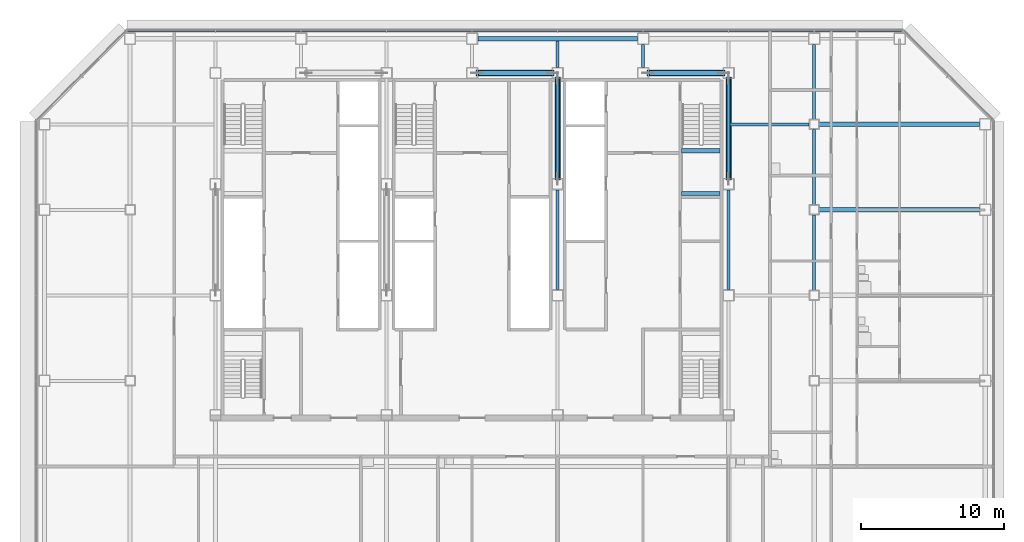
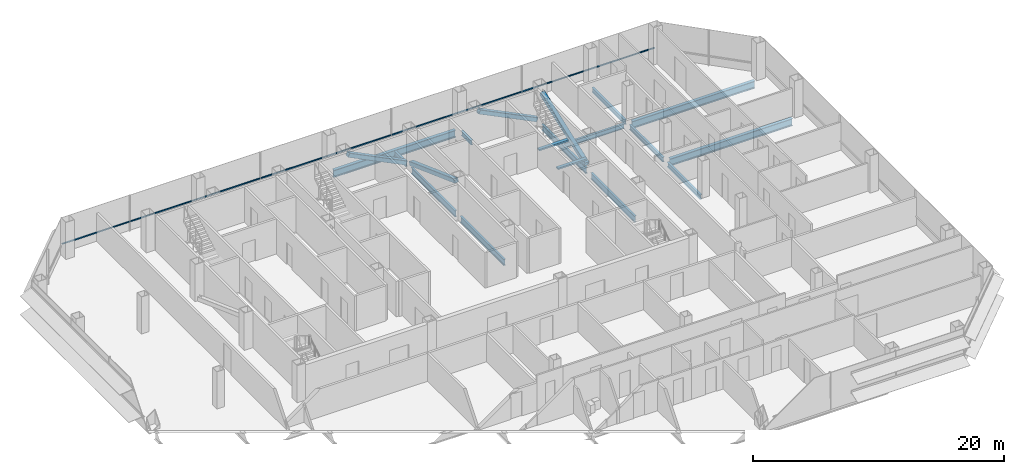
# One storey, part 13 of 25: 15 beams, 5 members, 1 element without a shape of its own.
"""IFC4 building model written with IfcOpenShell, lengths in metres."""

import ifcopenshell
import ifcopenshell.guid

model = None  # the IFC model being written
_history = None  # IfcOwnerHistory: only IFC2X3 demands one
_inside = {}  # id of a spatial element -> (the spatial element, [elements in it])
_under = {}  # id of a project, library or spatial element -> (it, [spatial elements below it])
_declared = {}  # id of a project -> (the project, [libraries it declares])
_typed = {}  # id of a type object -> (the type object, [elements of that type])
_made_of = {}  # id of a material, layer set ... -> (it, [elements and type objects made of it])


def new_model(schema):
    """Start an empty IFC model of exactly this schema.

    Asked for "IFC4X3", IfcOpenShell would pick the latest addendum, in which some entities
    have other attributes; the version numbers below select the first issue.
    IFC2X3 requires an IfcOwnerHistory on every rooted entity: one is made here for all.
    """
    global model, _history
    if schema == "IFC4X3":
        model = ifcopenshell.file(schema_version=(4, 3, 0, 0))
    else:
        model = ifcopenshell.file(schema=schema)
    _inside.clear()
    _under.clear()
    _declared.clear()
    _typed.clear()
    _made_of.clear()
    _history = None
    if model.schema == "IFC2X3":
        org = make("IfcOrganization", Name="unknown")
        user = make(
            "IfcPersonAndOrganization",
            ThePerson=make("IfcPerson", FamilyName="unknown"),
            TheOrganization=org,
        )
        app = make(
            "IfcApplication",
            ApplicationDeveloper=org,
            Version="unknown",
            ApplicationFullName="unknown",
            ApplicationIdentifier="unknown",
        )
        _history = make(
            "IfcOwnerHistory",
            OwningUser=user,
            OwningApplication=app,
            ChangeAction="ADDED",
            CreationDate=0,
        )
    return model


def make(cls, **values):
    """One entity of the class cls with the attributes given. An attribute that is None is left unset."""
    return model.create_entity(
        cls, **{name: value for name, value in values.items() if value is not None}
    )


def rooted(cls, **values):
    """An entity with a GlobalId (a new one), such as an element, a storey or a relation."""
    return make(cls, GlobalId=ifcopenshell.guid.new(), OwnerHistory=_history, **values)


def si_unit(unit_type, name, prefix=None):
    """IfcSIUnit, for example si_unit("LENGTHUNIT", "METRE", prefix="MILLI")."""
    return make("IfcSIUnit", UnitType=unit_type, Prefix=prefix, Name=name)


def assignment(units):
    """IfcUnitAssignment: the units of a project."""
    return None if units is None else make("IfcUnitAssignment", Units=units)


def point(xyz):
    """IfcCartesianPoint."""
    return None if xyz is None else make("IfcCartesianPoint", Coordinates=xyz)


def direction(xyz):
    """IfcDirection."""
    return None if xyz is None else make("IfcDirection", DirectionRatios=xyz)


def frame(location, z_axis=None, x_axis=None):
    """IfcAxis2Placement3D, a coordinate frame: its origin and axes. An axis left out is left unset."""
    return make(
        "IfcAxis2Placement3D",
        Location=point(location),
        Axis=direction(z_axis),
        RefDirection=direction(x_axis),
    )


def frame_2d(location, x_axis=None):
    """IfcAxis2Placement2D, a coordinate frame in the plane: its origin and x axis."""
    return make(
        "IfcAxis2Placement2D", Location=point(location), RefDirection=direction(x_axis)
    )


def origin():
    """The frame at (0, 0, 0) with its axes left unset."""
    return frame((0.0, 0.0, 0.0))


def origin_2d():
    """The frame at (0, 0) in the plane with its x axis left unset."""
    return frame_2d((0.0, 0.0))


def place(relative_to, where):
    """IfcLocalPlacement: puts the frame where relative to a parent placement (None: the world)."""
    return make(
        "IfcLocalPlacement", PlacementRelTo=relative_to, RelativePlacement=where
    )


def context(
    kind, dimensions, precision=None, world=None, true_north=None, identifier=None
):
    """IfcGeometricRepresentationContext, for example the 3D "Model" context."""
    return make(
        "IfcGeometricRepresentationContext",
        ContextIdentifier=identifier,
        ContextType=kind,
        CoordinateSpaceDimension=dimensions,
        Precision=precision,
        WorldCoordinateSystem=world,
        TrueNorth=true_north,
    )


def subcontext(parent, identifier, kind, view, scale=None):
    """IfcGeometricRepresentationSubContext, for example "Body" below "Model"."""
    return make(
        "IfcGeometricRepresentationSubContext",
        ContextIdentifier=identifier,
        ContextType=kind,
        ParentContext=parent,
        TargetScale=scale,
        TargetView=view,
    )


def project(units=None, contexts=None):
    """IfcProject with its units and contexts."""
    return rooted(
        "IfcProject",
        Name="project",
        RepresentationContexts=contexts,
        UnitsInContext=assignment(units),
    )


def spatial(cls, under=None, at=None, **own):
    """A site, building, storey or space (cls), placed at a placement, below another one or the project."""
    s = rooted(cls, ObjectPlacement=at, **own)
    if under is not None:
        _under.setdefault(under.id(), (under, []))[1].append(s)
    return s


def profile(cls, at=None, kind="AREA", **sizes):
    """A parametric profile (cls). Its sizes go by their IFC names, for example OverallWidth=200.0."""
    return make(cls, ProfileType=kind, Position=at, **sizes)


def rectangle(**sizes):
    """IfcRectangleProfileDef."""
    return profile("IfcRectangleProfileDef", **sizes)


def hollow_rectangle(**sizes):
    """IfcRectangleHollowProfileDef."""
    return profile("IfcRectangleHollowProfileDef", **sizes)


def i_section(**sizes):
    """IfcIShapeProfileDef."""
    return profile("IfcIShapeProfileDef", **sizes)


def extrude(swept, where, along, depth):
    """IfcExtrudedAreaSolid: the profile swept, set in the frame where, extruded along a direction by depth."""
    return make(
        "IfcExtrudedAreaSolid",
        SweptArea=swept,
        Position=where,
        ExtrudedDirection=direction(along),
        Depth=depth,
    )


def shape(context_of_items, identifier, shape_type, items):
    """IfcShapeRepresentation: the items that make up one representation, for example the "Body"."""
    return make(
        "IfcShapeRepresentation",
        ContextOfItems=context_of_items,
        RepresentationIdentifier=identifier,
        RepresentationType=shape_type,
        Items=items,
    )


def material(Name=None, Category=None):
    """IfcMaterial."""
    return make("IfcMaterial", Name=Name, Category=Category)


def material_profile(
    of_material, cross_section, Name=None, Category=None, Priority=None
):
    """IfcMaterialProfile: a cross section and its material."""
    return make(
        "IfcMaterialProfile",
        Name=Name,
        Material=of_material,
        Profile=cross_section,
        Priority=Priority,
        Category=Category,
    )


def profile_set(profiles, Name=None, composite=None):
    """IfcMaterialProfileSet."""
    return make(
        "IfcMaterialProfileSet",
        Name=Name,
        MaterialProfiles=profiles,
        CompositeProfile=composite,
    )


def made_of(thing, what):
    """Note that an element or type object is made of a material, layer set ...; save() writes the relation."""
    if what is not None:
        _made_of.setdefault(what.id(), (what, []))[1].append(thing)
    return thing


def type_object(cls, material=None, **own):
    """A type object (cls), such as IfcWallType, which elements share."""
    return made_of(rooted(cls, **own), material)


def element(
    cls,
    number,
    at=None,
    inside=None,
    cuts=None,
    type_object=None,
    material=None,
    context=None,
    identifier="Body",
    shape_type=None,
    held_by="IfcProductDefinitionShape",
    body=None,
    shapes=None,
    **own,
):
    """One element of the class cls, such as IfcWall. Its Tag is "e" and its number.

    at: its placement. inside: the storey or other place that contains it. cuts: it is an
    opening in that element (IfcRelVoidsElement). A single representation is given by context,
    identifier, shape_type and body (its items); several are given by shapes. held_by: the class
    of the entity that holds the representations. save() writes the other relations.
    """
    e = rooted(cls, Tag="e%d" % number, ObjectPlacement=at, **own)
    if body is not None:
        shapes = [shape(context, identifier, shape_type, body)]
    if shapes is not None:
        e.Representation = make(held_by, Representations=shapes)
    if inside is not None:
        _inside.setdefault(inside.id(), (inside, []))[1].append(e)
    if cuts is not None:
        rooted(
            "IfcRelVoidsElement", RelatingBuildingElement=cuts, RelatedOpeningElement=e
        )
    if type_object is not None:
        _typed.setdefault(type_object.id(), (type_object, []))[1].append(e)
    return made_of(e, material)


def aggregate(whole, parts):
    """IfcRelAggregates: a whole, such as a stair, and the parts it consists of."""
    return rooted("IfcRelAggregates", RelatingObject=whole, RelatedObjects=parts)


def save(model, path):
    """Write the relations noted so far, then the file.

    IfcRelAggregates (storeys below a building ...), IfcRelContainedInSpatialStructure (elements
    in a storey), IfcRelDefinesByType, IfcRelAssociatesMaterial and IfcRelDeclares: one each for
    every whole, place, type object, material and project.
    """
    for whole, parts in _under.values():
        aggregate(whole, parts)
    for where, things in _inside.values():
        rooted(
            "IfcRelContainedInSpatialStructure",
            RelatedElements=things,
            RelatingStructure=where,
        )
    for kind, things in _typed.values():
        rooted("IfcRelDefinesByType", RelatedObjects=things, RelatingType=kind)
    for what, things in _made_of.values():
        rooted("IfcRelAssociatesMaterial", RelatedObjects=things, RelatingMaterial=what)
    for by, libraries in _declared.values():
        rooted("IfcRelDeclares", RelatingContext=by, RelatedDefinitions=libraries)
    model.write(path)


model = new_model("IFC4")

# Units and contexts
model_context = context("Model", 3, precision=1e-05, world=origin(), true_north=direction((0.0, 1.0)))
body_context = subcontext(model_context, "Body", "Model", "MODEL_VIEW")
ifc_project = project(units=[si_unit("LENGTHUNIT", "METRE"), si_unit("AREAUNIT", "SQUARE_METRE"), si_unit("VOLUMEUNIT", "CUBIC_METRE"), si_unit("PLANEANGLEUNIT", "RADIAN"), si_unit("MASSUNIT", "GRAM", prefix="KILO")], contexts=[model_context])

# Site, building, storey
site_placement = place(None, origin())
site = spatial("IfcSite", under=ifc_project, at=site_placement, CompositionType="ELEMENT")
building_placement = place(site_placement, origin())
building = spatial("IfcBuilding", under=site, at=building_placement, Name="Sorahane Residences", CompositionType="ELEMENT")
storey_placement = place(building_placement, frame((0.0, 0.0, 107.0)))
storey = spatial("IfcBuildingStorey", under=building, at=storey_placement, Name="L23", CompositionType="ELEMENT", Elevation=107.0)

# Members
ifc_material_1 = material(Name="Steel Q355B", Category="steel")
ifc_material_profile_1 = material_profile(ifc_material_1, hollow_rectangle(XDim=0.39990234375, YDim=0.39990234375, WallThickness=0.02001953125, InnerFilletRadius=0.010009765625, OuterFilletRadius=0.030029296875, at=origin_2d()), Name="RHS 400x400x20")
ifc_profile_set_1 = profile_set([ifc_material_profile_1], Name="Steel Q355B")
member_type_1 = type_object("IfcMemberType", Name="Core brace RHS 400x400x20 Q355B", PredefinedType="BRACE", material=ifc_profile_set_1)
for number, where, z_axis, x_axis, name in (
    (1, (29.653076171875, 45.60009765625, 0.173828125), (-0.896480070819, 0.0, 0.443084058192), (0.0, -1.0, 0.0), "Core brace L23 y45.6-4"),
    (2, (41.653076171875, 45.60009765625, 0.173828125), (-0.896480070819, 0.0, 0.443084058192), (0.0, -1.0, 0.0), "Core brace L23 y45.6-6"),
):
    element("IfcMember", number, at=place(storey_placement, frame(where, z_axis=z_axis, x_axis=x_axis)), inside=storey, type_object=member_type_1, Name=name, PredefinedType="BRACE", context=body_context, shape_type="SweptSolid", body=[
        extrude(hollow_rectangle(XDim=0.39990234375, YDim=0.39990234375, WallThickness=0.02001953125, InnerFilletRadius=0.010009765625, OuterFilletRadius=0.030029296875, at=origin_2d()), origin(), (0.0, 0.0, 1.0), 5.9189453125),
    ])
for number, where, z_axis, x_axis, name in (
    (3, (42.0, 38.15869140625, 0.184814453125), (0.0, 0.938733651637, 0.344643484319), (-1.0, 0.0, 0.0), "Core brace L23 x42-3"),
    (4, (30.0, 45.241455078125, 0.184814453125), (0.0, -0.938733651637, 0.344643484319), (1.0, 0.0, 0.0), "Core brace L23 x30-2"),
):
    element("IfcMember", number, at=place(storey_placement, frame(where, z_axis=z_axis, x_axis=x_axis)), inside=storey, type_object=member_type_1, Name=name, PredefinedType="BRACE", context=body_context, shape_type="SweptSolid", body=[
        extrude(hollow_rectangle(XDim=0.39990234375, YDim=0.39990234375, WallThickness=0.02001953125, InnerFilletRadius=0.010009765625, OuterFilletRadius=0.030029296875, at=origin_2d()), origin(), (0.0, 0.0, 1.0), 7.544921875),
    ])

# Curtain wall, member
ifc_material_2 = material(Name="Dark low-e glass and black anodised aluminium", Category="aluminium")
curtain_wall_type = type_object("IfcCurtainWallType", Name="Curtain wall CW-1 Typical unitised wall", PredefinedType="NOTDEFINED", material=ifc_material_2)
curtain_wall_placement = place(storey_placement, origin())
curtain_wall = element("IfcCurtainWall", 5, at=curtain_wall_placement, inside=storey, type_object=curtain_wall_type, Name="CW-1 curtain wall L23 N1", PredefinedType="NOTDEFINED")
ifc_material_3 = material(Name="Black anodised aluminium", Category="aluminium")
ifc_material_profile_2 = material_profile(ifc_material_3, rectangle(XDim=0.10009765625, YDim=0.06005859375, at=origin_2d()), Name="Curtain wall transom CW-1 black anodised aluminium 60x100")
ifc_profile_set_2 = profile_set([ifc_material_profile_2], Name="Black anodised aluminium")
member_type_2 = type_object("IfcMemberType", Name="Curtain wall transom CW-1 black anodised aluminium 60x100", PredefinedType="USERDEFINED", material=ifc_profile_set_2)
member_placement = place(storey_placement, frame((54.198486328125, 48.530029296875, 0.89990234375), z_axis=(-1.0, 0.0, 0.0), x_axis=(0.0, -1.0, 0.0)))
member = element("IfcMember", 6, at=member_placement, type_object=member_type_2, Name="CW-1 transom L23 N1", ObjectType="TRANSOM", PredefinedType="USERDEFINED", context=body_context, shape_type="SweptSolid", body=[
    extrude(rectangle(XDim=0.10009765625, YDim=0.06005859375, at=origin_2d()), origin(), (0.0, 0.0, 1.0), 54.39697265625),
])
aggregate(curtain_wall, [member])

# Beams
ifc_material_4 = material(Name="Concrete C40", Category="concrete")
ifc_material_profile_3 = material_profile(ifc_material_4, rectangle(XDim=0.300048828125, YDim=0.139892578125, at=origin_2d()), Name="300x140")
ifc_profile_set_3 = profile_set([ifc_material_profile_3], Name="Concrete C40")
beam_type_1 = type_object("IfcBeamType", Name="RC landing beam 300 x 140 Concrete C40", PredefinedType="BEAM", material=ifc_profile_set_3)
for number, where, z_axis, x_axis, name in (
    (7, (38.699951171875, 37.14990234375, 1.530029296875), (1.0, 0.0, 0.0), (0.0, 1.0, 0.0), "Landing beam"),
    (8, (38.699951171875, 40.14990234375, 1.530029296875), (1.0, 0.0, 0.0), (0.0, 1.0, 0.0), "Landing beam"),
):
    element("IfcBeam", number, at=place(storey_placement, frame(where, z_axis=z_axis, x_axis=x_axis)), inside=storey, type_object=beam_type_1, Name=name, PredefinedType="BEAM", context=body_context, shape_type="SweptSolid", body=[
        extrude(rectangle(XDim=0.300048828125, YDim=0.139892578125, at=origin_2d()), origin(), (0.0, 0.0, 1.0), 2.699951171875),
    ])
ifc_material_5 = material(Name="Steel Q355B", Category="steel")
ifc_material_profile_4 = material_profile(ifc_material_5, i_section(OverallWidth=0.199951171875, OverallDepth=0.449951171875, WebThickness=0.009033203125, FlangeThickness=0.013916015625, FilletRadius=0.02001953125, at=origin_2d()), Name="HN 450x200x9x14")
ifc_profile_set_4 = profile_set([ifc_material_profile_4], Name="Steel Q355B")
beam_type_2 = type_object("IfcBeamType", Name="Steel floor beam HN 450x200x9x14 Q355B", PredefinedType="BEAM", material=ifc_profile_set_4)
beam_1_placement = place(storey_placement, frame((30.0, 46.0, -0.405029296875), z_axis=(0.0, 1.0, 0.0), x_axis=(-1.0, 0.0, 0.0)))
element("IfcBeam", 9, at=beam_1_placement, inside=storey, type_object=beam_type_2, Name="Beam L23 049", PredefinedType="BEAM", context=body_context, shape_type="SweptSolid", body=[
    extrude(i_section(OverallWidth=0.199951171875, OverallDepth=0.449951171875, WebThickness=0.009033203125, FlangeThickness=0.013916015625, FilletRadius=0.02001953125, at=origin_2d()), origin(), (0.0, 0.0, 1.0), 1.85009765625),
])
beam_2_placement = place(storey_placement, frame((36.0, 46.0, -0.405029296875), z_axis=(0.0, 1.0, 0.0), x_axis=(-1.0, 0.0, 0.0)))
element("IfcBeam", 10, at=beam_2_placement, inside=storey, type_object=beam_type_2, Name="Beam L23 051", PredefinedType="BEAM", context=body_context, shape_type="SweptSolid", body=[
    extrude(i_section(OverallWidth=0.199951171875, OverallDepth=0.449951171875, WebThickness=0.009033203125, FlangeThickness=0.013916015625, FilletRadius=0.02001953125, at=origin_2d()), origin(), (0.0, 0.0, 1.0), 1.60009765625),
])
for number, where, z_axis, x_axis, name in (
    (11, (48.0, 30.35009765625, -0.405029296875), (0.0, 1.0, 0.0), (-1.0, 0.0, 0.0), "Beam L23 061"),
    (12, (48.0, 36.35009765625, -0.405029296875), (0.0, 1.0, 0.0), (-1.0, 0.0, 0.0), "Beam L23 062"),
):
    element("IfcBeam", number, at=place(storey_placement, frame(where, z_axis=z_axis, x_axis=x_axis)), inside=storey, type_object=beam_type_2, Name=name, PredefinedType="BEAM", context=body_context, shape_type="SweptSolid", body=[
        extrude(i_section(OverallWidth=0.199951171875, OverallDepth=0.449951171875, WebThickness=0.009033203125, FlangeThickness=0.013916015625, FilletRadius=0.02001953125, at=origin_2d()), origin(), (0.0, 0.0, 1.0), 5.2998046875),
    ])
beam_3_placement = place(storey_placement, frame((48.0, 42.35009765625, -0.405029296875), z_axis=(0.0, 1.0, 0.0), x_axis=(-1.0, 0.0, 0.0)))
element("IfcBeam", 13, at=beam_3_placement, inside=storey, type_object=beam_type_2, Name="Beam L23 063", PredefinedType="BEAM", context=body_context, shape_type="SweptSolid", body=[
    extrude(i_section(OverallWidth=0.199951171875, OverallDepth=0.449951171875, WebThickness=0.009033203125, FlangeThickness=0.013916015625, FilletRadius=0.02001953125, at=origin_2d()), origin(), (0.0, 0.0, 1.0), 5.25),
])
beam_4_placement = place(storey_placement, frame((42.10009765625, 42.0, -0.405029296875), z_axis=(1.0, 0.0, 0.0), x_axis=(0.0, 1.0, 0.0)))
element("IfcBeam", 14, at=beam_4_placement, inside=storey, type_object=beam_type_2, Name="Beam L23 091", PredefinedType="BEAM", context=body_context, shape_type="SweptSolid", body=[
    extrude(i_section(OverallWidth=0.199951171875, OverallDepth=0.449951171875, WebThickness=0.009033203125, FlangeThickness=0.013916015625, FilletRadius=0.02001953125, at=origin_2d()), origin(), (0.0, 0.0, 1.0), 5.5498046875),
])
ifc_material_6 = material(Name="Steel Q355B", Category="steel")
ifc_material_profile_5 = material_profile(ifc_material_6, i_section(OverallWidth=0.199951171875, OverallDepth=0.60009765625, WebThickness=0.010986328125, FlangeThickness=0.01708984375, FilletRadius=0.02392578125, at=origin_2d()), Name="HN 600x200x11x17")
ifc_profile_set_5 = profile_set([ifc_material_profile_5], Name="Steel Q355B")
beam_type_3 = type_object("IfcBeamType", Name="Steel floor beam HN 600x200x11x17 Q355B", PredefinedType="BEAM", material=ifc_profile_set_5)
for number, where, z_axis, x_axis, name in (
    (15, (30.0, 30.39990234375, -0.47998046875), (0.0, 1.0, 0.0), (-1.0, 0.0, 0.0), "Beam L23 047"),
    (16, (30.0, 38.199951171875, -0.47998046875), (0.0, 1.0, 0.0), (-1.0, 0.0, 0.0), "Beam L23 048"),
    (17, (42.0, 30.39990234375, -0.47998046875), (0.0, 1.0, 0.0), (-1.0, 0.0, 0.0), "Beam L23 055"),
    (18, (42.0, 38.199951171875, -0.47998046875), (0.0, 1.0, 0.0), (-1.0, 0.0, 0.0), "Beam L23 056"),
):
    element("IfcBeam", number, at=place(storey_placement, frame(where, z_axis=z_axis, x_axis=x_axis)), inside=storey, type_object=beam_type_3, Name=name, PredefinedType="BEAM", context=body_context, shape_type="SweptSolid", body=[
        extrude(i_section(OverallWidth=0.199951171875, OverallDepth=0.60009765625, WebThickness=0.010986328125, FlangeThickness=0.01708984375, FilletRadius=0.02392578125, at=origin_2d()), origin(), (0.0, 0.0, 1.0), 7.0),
    ])
ifc_material_7 = material(Name="Steel Q355B", Category="steel")
ifc_material_profile_6 = material_profile(ifc_material_7, i_section(OverallWidth=0.300048828125, OverallDepth=0.699951171875, WebThickness=0.012939453125, FlangeThickness=0.02392578125, FilletRadius=0.028076171875, at=origin_2d()), Name="HN 700x300x13x24")
ifc_profile_set_6 = profile_set([ifc_material_profile_6], Name="Steel Q355B")
beam_type_4 = type_object("IfcBeamType", Name="Steel floor beam HN 700x300x13x24 Q355B", PredefinedType="BEAM", material=ifc_profile_set_6)
beam_5_placement = place(storey_placement, frame((48.35009765625, 36.0, -0.530029296875), z_axis=(1.0, 0.0, 0.0), x_axis=(0.0, 1.0, 0.0)))
element("IfcBeam", 19, at=beam_5_placement, inside=storey, type_object=beam_type_4, Name="Beam L23 014", PredefinedType="BEAM", context=body_context, shape_type="SweptSolid", body=[
    extrude(i_section(OverallWidth=0.300048828125, OverallDepth=0.699951171875, WebThickness=0.012939453125, FlangeThickness=0.02392578125, FilletRadius=0.028076171875, at=origin_2d()), origin(), (0.0, 0.0, 1.0), 11.25),
])
beam_6_placement = place(storey_placement, frame((24.39990234375, 48.0, -0.530029296875), z_axis=(1.0, 0.0, 0.0), x_axis=(0.0, 1.0, 0.0)))
element("IfcBeam", 20, at=beam_6_placement, inside=storey, type_object=beam_type_4, Name="Beam L23 017", PredefinedType="BEAM", context=body_context, shape_type="SweptSolid", body=[
    extrude(i_section(OverallWidth=0.300048828125, OverallDepth=0.699951171875, WebThickness=0.012939453125, FlangeThickness=0.02392578125, FilletRadius=0.028076171875, at=origin_2d()), origin(), (0.0, 0.0, 1.0), 11.2001953125),
])
beam_7_placement = place(storey_placement, frame((48.35009765625, 42.0, -0.530029296875), z_axis=(1.0, 0.0, 0.0), x_axis=(0.0, 1.0, 0.0)))
element("IfcBeam", 21, at=beam_7_placement, inside=storey, type_object=beam_type_4, Name="Beam L23 092", PredefinedType="BEAM", context=body_context, shape_type="SweptSolid", body=[
    extrude(i_section(OverallWidth=0.300048828125, OverallDepth=0.699951171875, WebThickness=0.012939453125, FlangeThickness=0.02392578125, FilletRadius=0.028076171875, at=origin_2d()), origin(), (0.0, 0.0, 1.0), 11.25),
])

save(model, "model.ifc")
